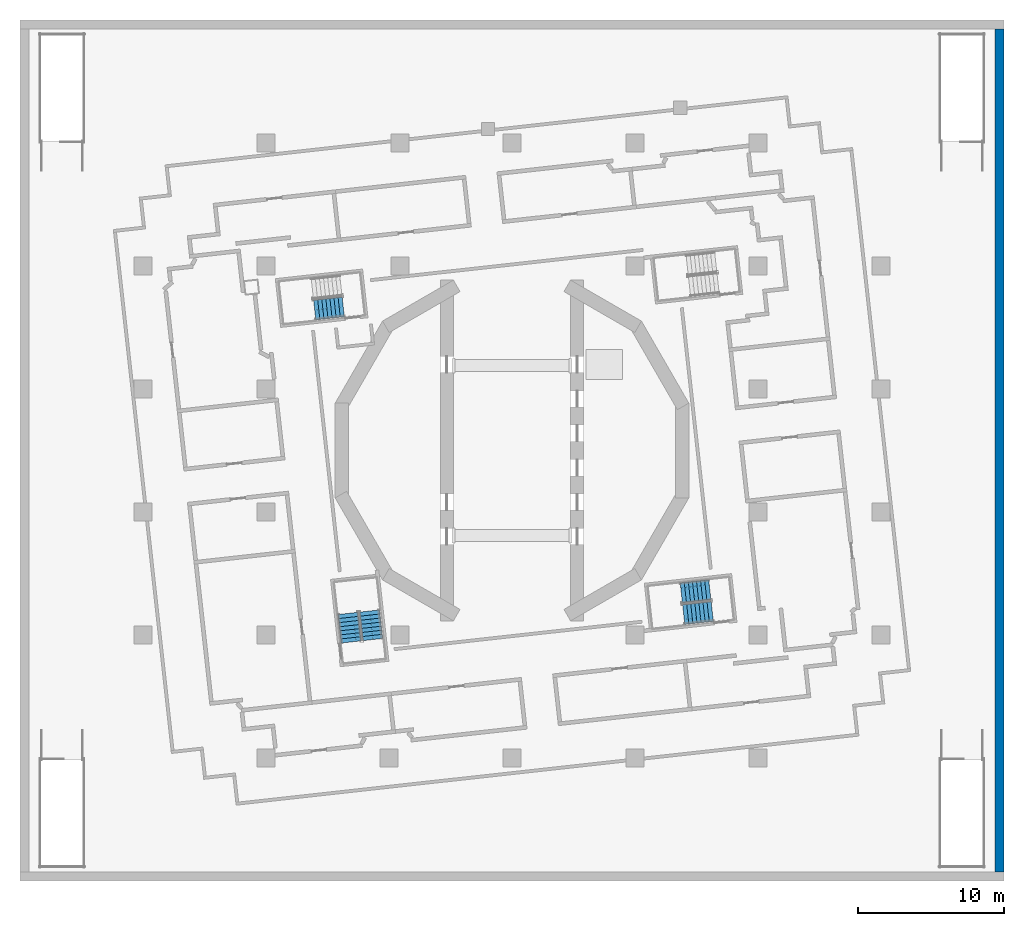
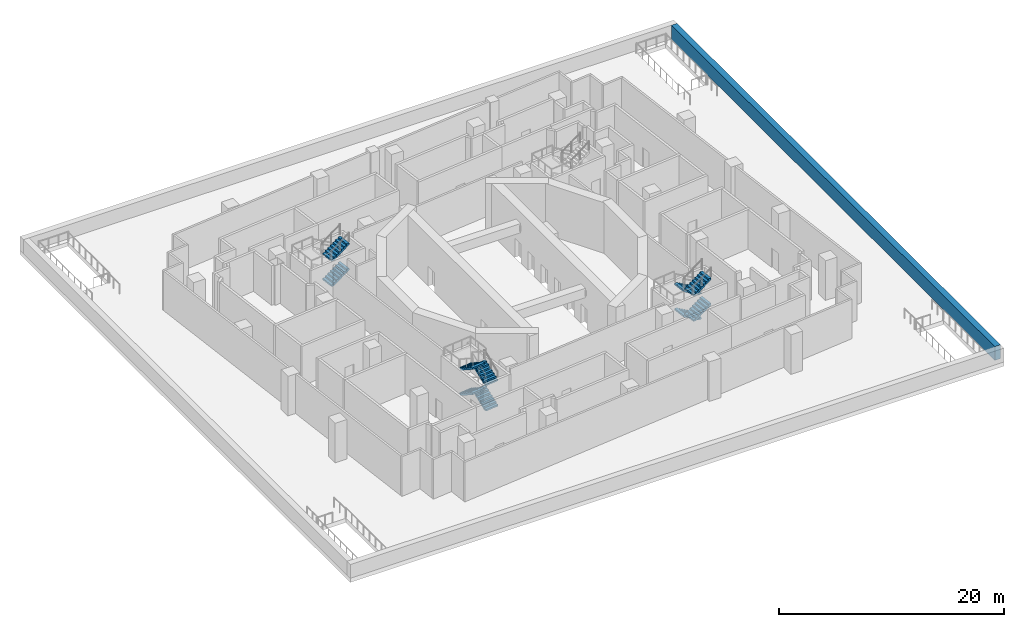
# One storey, part 5 of 12: 10 stair flights, 1 wall, 3 elements without a shape of their own.
"""IFC4 building model written with IfcOpenShell, lengths in metres."""

from ifc_helpers import new_model, si_unit, direction, frame, frame_2d, origin, place, context, subcontext, project, spatial, polyline, rectangle, outline, extrude, material, layer, layer_set, type_object, element, aggregate, save


model = new_model("IFC4")

# Units and contexts
model_context = context("Model", 3, precision=1e-05, world=origin(), true_north=direction((0.0, 1.0)))
body_context = subcontext(model_context, "Body", "Model", "MODEL_VIEW")
ifc_project = project(units=[si_unit("LENGTHUNIT", "METRE"), si_unit("AREAUNIT", "SQUARE_METRE"), si_unit("VOLUMEUNIT", "CUBIC_METRE"), si_unit("PLANEANGLEUNIT", "RADIAN"), si_unit("MASSUNIT", "GRAM", prefix="KILO")], contexts=[model_context])

# Site, building, storey
site_placement = place(None, origin())
site = spatial("IfcSite", under=ifc_project, at=site_placement, CompositionType="ELEMENT")
building_placement = place(site_placement, origin())
building = spatial("IfcBuilding", under=site, at=building_placement, Name="Cantera Rosa Tower", CompositionType="ELEMENT")
storey_placement = place(building_placement, frame((0.0, 0.0, 37.0)))
storey = spatial("IfcBuildingStorey", under=building, at=storey_placement, Name="L06", CompositionType="ELEMENT", Elevation=37.0)

# Wall
ifc_material_1 = material(Name="Concrete C40/50 with limestone facing", Category="masonry")
ifc_layer = layer(ifc_material_1, 0.60009765625)
ifc_layer_set = layer_set([ifc_layer], Name="Stone cornice parapet 600")
wall_type = type_object("IfcWallType", Name="Stone cornice parapet 600", PredefinedType="PARAPET", material=ifc_layer_set)
wall_placement = place(storey_placement, frame((33.300048828125, -28.800048828125, 0.0), z_axis=(0.0, 0.0, 1.0), x_axis=(0.0, 1.0, 0.0)))
element("IfcWall", 1, at=wall_placement, inside=storey, type_object=wall_type, Name="Parapet E", PredefinedType="PARAPET", context=body_context, shape_type="SweptSolid", body=[
    extrude(rectangle(XDim=57.60009765625, YDim=0.60009765625, at=frame_2d((28.800048828125, 0.0))), origin(), (0.0, 0.0, 1.0), 1.5),
])

# Stair, stair flights
ifc_material_2 = material(Name="Concrete C35/45", Category="concrete")
stair_type = type_object("IfcStairType", Name="EXIT STAIR 1350 DOGLEG", PredefinedType="HALF_TURN_STAIR", material=ifc_material_2)
stair_1_placement = place(storey_placement, origin())
stair_1 = element("IfcStair", 2, at=stair_1_placement, inside=storey, type_object=stair_type, Name="L06 ST-12", PredefinedType="HALF_TURN_STAIR")
ifc_material_3 = material(Name="Concrete C35/45", Category="concrete")
stair_flight_type = type_object("IfcStairFlightType", Name="STAIR FLIGHT 1350 R32x172", PredefinedType="STRAIGHT", material=ifc_material_3)
stair_flight_1_placement = place(storey_placement, frame((-13.473876953125, 9.5927734375, 1.375), z_axis=(0.0, 0.0, 1.0), x_axis=(0.993896947056, 0.110312549749, 0.0)))
stair_flight_1 = element("IfcStairFlight", 3, at=stair_flight_1_placement, type_object=stair_flight_type, Name="ST-12 flight 2", NumberOfRisers=8, NumberOfTreads=7, PredefinedType="STRAIGHT", RiserHeight=0.171875, TreadLength=0.28, context=body_context, shape_type="SweptSolid", body=[
    extrude(outline(polyline([(0.0, 0.0), (0.0, 0.171875), (0.280029296875, 0.171875), (0.280029296875, 0.34375), (0.56005859375, 0.34375), (0.56005859375, 0.515625), (0.840087890625, 0.515625), (0.840087890625, 0.6875), (1.1201171875, 0.6875), (1.1201171875, 0.859375), (1.39990234375, 0.859375), (1.39990234375, 1.03125), (1.679931640625, 1.03125), (1.679931640625, 1.203125), (1.9599609375, 1.203125), (1.9599609375, 1.375), (1.9599609375, 1.02734375), (0.28662109375, 0.0), (0.0, 0.0)])), frame((0.0, 0.675048828125, 0.0), z_axis=(0.0, -1.0, 0.0), x_axis=(1.0, 0.0, 0.0)), (0.0, 0.0, 1.0), 0.3359375),
    extrude(outline(polyline([(0.0, 0.0), (0.0, 0.171875), (0.280029296875, 0.171875), (0.280029296875, 0.34375), (0.56005859375, 0.34375), (0.56005859375, 0.515625), (0.840087890625, 0.515625), (0.840087890625, 0.6875), (1.1201171875, 0.6875), (1.1201171875, 0.859375), (1.39990234375, 0.859375), (1.39990234375, 1.03125), (1.679931640625, 1.03125), (1.679931640625, 1.203125), (1.9599609375, 1.203125), (1.9599609375, 1.375), (1.9599609375, 1.02734375), (0.28662109375, 0.0), (0.0, 0.0)])), frame((0.0, 0.337158203125, 0.0), z_axis=(0.0, -1.0, 0.0), x_axis=(1.0, 0.0, 0.0)), (0.0, 0.0, 1.0), 0.3359375),
    extrude(outline(polyline([(0.0, 0.0), (0.0, 0.171875), (0.280029296875, 0.171875), (0.280029296875, 0.34375), (0.56005859375, 0.34375), (0.56005859375, 0.515625), (0.840087890625, 0.515625), (0.840087890625, 0.6875), (1.1201171875, 0.6875), (1.1201171875, 0.859375), (1.39990234375, 0.859375), (1.39990234375, 1.03125), (1.679931640625, 1.03125), (1.679931640625, 1.203125), (1.9599609375, 1.203125), (1.9599609375, 1.375), (1.9599609375, 1.02734375), (0.28662109375, 0.0), (0.0, 0.0)])), frame((0.0, -0.000732421875, 0.0), z_axis=(0.0, -1.0, 0.0), x_axis=(1.0, 0.0, 0.0)), (0.0, 0.0, 1.0), 0.3359375),
    extrude(outline(polyline([(0.0, 0.0), (0.0, 0.171875), (0.280029296875, 0.171875), (0.280029296875, 0.34375), (0.56005859375, 0.34375), (0.56005859375, 0.515625), (0.840087890625, 0.515625), (0.840087890625, 0.6875), (1.1201171875, 0.6875), (1.1201171875, 0.859375), (1.39990234375, 0.859375), (1.39990234375, 1.03125), (1.679931640625, 1.03125), (1.679931640625, 1.203125), (1.9599609375, 1.203125), (1.9599609375, 1.375), (1.9599609375, 1.02734375), (0.28662109375, 0.0), (0.0, 0.0)])), frame((0.0, -0.338623046875, 0.0), z_axis=(0.0, -1.0, 0.0), x_axis=(1.0, 0.0, 0.0)), (0.0, 0.0, 1.0), 0.3359375),
])
stair_flight_2_placement = place(storey_placement, frame((-13.473876953125, 9.5927734375, 4.125), z_axis=(0.0, 0.0, 1.0), x_axis=(0.993896947056, 0.110312549749, 0.0)))
stair_flight_2 = element("IfcStairFlight", 4, at=stair_flight_2_placement, type_object=stair_flight_type, Name="ST-12 flight 4", NumberOfRisers=8, NumberOfTreads=7, PredefinedType="STRAIGHT", RiserHeight=0.171875, TreadLength=0.28, context=body_context, shape_type="SweptSolid", body=[
    extrude(outline(polyline([(0.0, 0.0), (0.0, 0.171875), (0.280029296875, 0.171875), (0.280029296875, 0.34375), (0.56005859375, 0.34375), (0.56005859375, 0.515625), (0.840087890625, 0.515625), (0.840087890625, 0.6875), (1.1201171875, 0.6875), (1.1201171875, 0.859375), (1.39990234375, 0.859375), (1.39990234375, 1.03125), (1.679931640625, 1.03125), (1.679931640625, 1.203125), (1.9599609375, 1.203125), (1.9599609375, 1.375), (1.9599609375, 1.02734375), (0.28662109375, 0.0), (0.0, 0.0)])), frame((0.0, 0.675048828125, 0.0), z_axis=(0.0, -1.0, 0.0), x_axis=(1.0, 0.0, 0.0)), (0.0, 0.0, 1.0), 0.3359375),
    extrude(outline(polyline([(0.0, 0.0), (0.0, 0.171875), (0.280029296875, 0.171875), (0.280029296875, 0.34375), (0.56005859375, 0.34375), (0.56005859375, 0.515625), (0.840087890625, 0.515625), (0.840087890625, 0.6875), (1.1201171875, 0.6875), (1.1201171875, 0.859375), (1.39990234375, 0.859375), (1.39990234375, 1.03125), (1.679931640625, 1.03125), (1.679931640625, 1.203125), (1.9599609375, 1.203125), (1.9599609375, 1.375), (1.9599609375, 1.02734375), (0.28662109375, 0.0), (0.0, 0.0)])), frame((0.0, 0.337158203125, 0.0), z_axis=(0.0, -1.0, 0.0), x_axis=(1.0, 0.0, 0.0)), (0.0, 0.0, 1.0), 0.3359375),
    extrude(outline(polyline([(0.0, 0.0), (0.0, 0.171875), (0.280029296875, 0.171875), (0.280029296875, 0.34375), (0.56005859375, 0.34375), (0.56005859375, 0.515625), (0.840087890625, 0.515625), (0.840087890625, 0.6875), (1.1201171875, 0.6875), (1.1201171875, 0.859375), (1.39990234375, 0.859375), (1.39990234375, 1.03125), (1.679931640625, 1.03125), (1.679931640625, 1.203125), (1.9599609375, 1.203125), (1.9599609375, 1.375), (1.9599609375, 1.02734375), (0.28662109375, 0.0), (0.0, 0.0)])), frame((0.0, -0.000732421875, 0.0), z_axis=(0.0, -1.0, 0.0), x_axis=(1.0, 0.0, 0.0)), (0.0, 0.0, 1.0), 0.3359375),
    extrude(outline(polyline([(0.0, 0.0), (0.0, 0.171875), (0.280029296875, 0.171875), (0.280029296875, 0.34375), (0.56005859375, 0.34375), (0.56005859375, 0.515625), (0.840087890625, 0.515625), (0.840087890625, 0.6875), (1.1201171875, 0.6875), (1.1201171875, 0.859375), (1.39990234375, 0.859375), (1.39990234375, 1.03125), (1.679931640625, 1.03125), (1.679931640625, 1.203125), (1.9599609375, 1.203125), (1.9599609375, 1.375), (1.9599609375, 1.02734375), (0.28662109375, 0.0), (0.0, 0.0)])), frame((0.0, -0.338623046875, 0.0), z_axis=(0.0, -1.0, 0.0), x_axis=(1.0, 0.0, 0.0)), (0.0, 0.0, 1.0), 0.3359375),
])
aggregate(stair_1, [stair_flight_1, stair_flight_2])

stair_2_placement = place(storey_placement, origin())
stair_2 = element("IfcStair", 5, at=stair_2_placement, inside=storey, type_object=stair_type, Name="L06 ST-13", PredefinedType="HALF_TURN_STAIR")
stair_flight_3_placement = place(storey_placement, frame((-9.500244140625, -12.90869140625, 0.0), z_axis=(0.0, 0.0, 1.0), x_axis=(-0.110312549749, 0.993896947056, 0.0)))
stair_flight_3 = element("IfcStairFlight", 6, at=stair_flight_3_placement, type_object=stair_flight_type, Name="ST-13 flight 1", NumberOfRisers=8, NumberOfTreads=7, PredefinedType="STRAIGHT", RiserHeight=0.171875, TreadLength=0.28, context=body_context, shape_type="SweptSolid", body=[
    extrude(outline(polyline([(0.0, 0.0), (0.0, 0.171875), (0.280029296875, 0.171875), (0.280029296875, 0.34375), (0.56005859375, 0.34375), (0.56005859375, 0.515625), (0.840087890625, 0.515625), (0.840087890625, 0.6875), (1.1201171875, 0.6875), (1.1201171875, 0.859375), (1.39990234375, 0.859375), (1.39990234375, 1.03125), (1.679931640625, 1.03125), (1.679931640625, 1.203125), (1.9599609375, 1.203125), (1.9599609375, 1.375), (1.9599609375, 1.02734375), (0.28662109375, 0.0), (0.0, 0.0)])), frame((0.0, 0.675048828125, 0.0), z_axis=(0.0, -1.0, 0.0), x_axis=(1.0, 0.0, 0.0)), (0.0, 0.0, 1.0), 0.3359375),
    extrude(outline(polyline([(0.0, 0.0), (0.0, 0.171875), (0.280029296875, 0.171875), (0.280029296875, 0.34375), (0.56005859375, 0.34375), (0.56005859375, 0.515625), (0.840087890625, 0.515625), (0.840087890625, 0.6875), (1.1201171875, 0.6875), (1.1201171875, 0.859375), (1.39990234375, 0.859375), (1.39990234375, 1.03125), (1.679931640625, 1.03125), (1.679931640625, 1.203125), (1.9599609375, 1.203125), (1.9599609375, 1.375), (1.9599609375, 1.02734375), (0.28662109375, 0.0), (0.0, 0.0)])), frame((0.0, 0.337158203125, 0.0), z_axis=(0.0, -1.0, 0.0), x_axis=(1.0, 0.0, 0.0)), (0.0, 0.0, 1.0), 0.3359375),
    extrude(outline(polyline([(0.0, 0.0), (0.0, 0.171875), (0.280029296875, 0.171875), (0.280029296875, 0.34375), (0.56005859375, 0.34375), (0.56005859375, 0.515625), (0.840087890625, 0.515625), (0.840087890625, 0.6875), (1.1201171875, 0.6875), (1.1201171875, 0.859375), (1.39990234375, 0.859375), (1.39990234375, 1.03125), (1.679931640625, 1.03125), (1.679931640625, 1.203125), (1.9599609375, 1.203125), (1.9599609375, 1.375), (1.9599609375, 1.02734375), (0.28662109375, 0.0), (0.0, 0.0)])), frame((0.0, -0.000732421875, 0.0), z_axis=(0.0, -1.0, 0.0), x_axis=(1.0, 0.0, 0.0)), (0.0, 0.0, 1.0), 0.3359375),
    extrude(outline(polyline([(0.0, 0.0), (0.0, 0.171875), (0.280029296875, 0.171875), (0.280029296875, 0.34375), (0.56005859375, 0.34375), (0.56005859375, 0.515625), (0.840087890625, 0.515625), (0.840087890625, 0.6875), (1.1201171875, 0.6875), (1.1201171875, 0.859375), (1.39990234375, 0.859375), (1.39990234375, 1.03125), (1.679931640625, 1.03125), (1.679931640625, 1.203125), (1.9599609375, 1.203125), (1.9599609375, 1.375), (1.9599609375, 1.02734375), (0.28662109375, 0.0), (0.0, 0.0)])), frame((0.0, -0.338623046875, 0.0), z_axis=(0.0, -1.0, 0.0), x_axis=(1.0, 0.0, 0.0)), (0.0, 0.0, 1.0), 0.3359375),
])
stair_flight_4_placement = place(storey_placement, frame((-11.207275390625, -11.126220703125, 1.375), z_axis=(0.0, 0.0, 1.0), x_axis=(0.110312549749, -0.993896947056, 0.0)))
stair_flight_4 = element("IfcStairFlight", 7, at=stair_flight_4_placement, type_object=stair_flight_type, Name="ST-13 flight 2", NumberOfRisers=8, NumberOfTreads=7, PredefinedType="STRAIGHT", RiserHeight=0.171875, TreadLength=0.28, context=body_context, shape_type="SweptSolid", body=[
    extrude(outline(polyline([(0.0, 0.0), (0.0, 0.171875), (0.280029296875, 0.171875), (0.280029296875, 0.34375), (0.56005859375, 0.34375), (0.56005859375, 0.515625), (0.840087890625, 0.515625), (0.840087890625, 0.6875), (1.1201171875, 0.6875), (1.1201171875, 0.859375), (1.39990234375, 0.859375), (1.39990234375, 1.03125), (1.679931640625, 1.03125), (1.679931640625, 1.203125), (1.9599609375, 1.203125), (1.9599609375, 1.375), (1.9599609375, 1.02734375), (0.28662109375, 0.0), (0.0, 0.0)])), frame((0.0, 0.675048828125, 0.0), z_axis=(0.0, -1.0, 0.0), x_axis=(1.0, 0.0, 0.0)), (0.0, 0.0, 1.0), 0.3359375),
    extrude(outline(polyline([(0.0, 0.0), (0.0, 0.171875), (0.280029296875, 0.171875), (0.280029296875, 0.34375), (0.56005859375, 0.34375), (0.56005859375, 0.515625), (0.840087890625, 0.515625), (0.840087890625, 0.6875), (1.1201171875, 0.6875), (1.1201171875, 0.859375), (1.39990234375, 0.859375), (1.39990234375, 1.03125), (1.679931640625, 1.03125), (1.679931640625, 1.203125), (1.9599609375, 1.203125), (1.9599609375, 1.375), (1.9599609375, 1.02734375), (0.28662109375, 0.0), (0.0, 0.0)])), frame((0.0, 0.337158203125, 0.0), z_axis=(0.0, -1.0, 0.0), x_axis=(1.0, 0.0, 0.0)), (0.0, 0.0, 1.0), 0.3359375),
    extrude(outline(polyline([(0.0, 0.0), (0.0, 0.171875), (0.280029296875, 0.171875), (0.280029296875, 0.34375), (0.56005859375, 0.34375), (0.56005859375, 0.515625), (0.840087890625, 0.515625), (0.840087890625, 0.6875), (1.1201171875, 0.6875), (1.1201171875, 0.859375), (1.39990234375, 0.859375), (1.39990234375, 1.03125), (1.679931640625, 1.03125), (1.679931640625, 1.203125), (1.9599609375, 1.203125), (1.9599609375, 1.375), (1.9599609375, 1.02734375), (0.28662109375, 0.0), (0.0, 0.0)])), frame((0.0, -0.000732421875, 0.0), z_axis=(0.0, -1.0, 0.0), x_axis=(1.0, 0.0, 0.0)), (0.0, 0.0, 1.0), 0.3359375),
    extrude(outline(polyline([(0.0, 0.0), (0.0, 0.171875), (0.280029296875, 0.171875), (0.280029296875, 0.34375), (0.56005859375, 0.34375), (0.56005859375, 0.515625), (0.840087890625, 0.515625), (0.840087890625, 0.6875), (1.1201171875, 0.6875), (1.1201171875, 0.859375), (1.39990234375, 0.859375), (1.39990234375, 1.03125), (1.679931640625, 1.03125), (1.679931640625, 1.203125), (1.9599609375, 1.203125), (1.9599609375, 1.375), (1.9599609375, 1.02734375), (0.28662109375, 0.0), (0.0, 0.0)])), frame((0.0, -0.338623046875, 0.0), z_axis=(0.0, -1.0, 0.0), x_axis=(1.0, 0.0, 0.0)), (0.0, 0.0, 1.0), 0.3359375),
])
stair_flight_5_placement = place(storey_placement, frame((-9.500244140625, -12.90869140625, 2.75), z_axis=(0.0, 0.0, 1.0), x_axis=(-0.110312549749, 0.993896947056, 0.0)))
stair_flight_5 = element("IfcStairFlight", 8, at=stair_flight_5_placement, type_object=stair_flight_type, Name="ST-13 flight 3", NumberOfRisers=8, NumberOfTreads=7, PredefinedType="STRAIGHT", RiserHeight=0.171875, TreadLength=0.28, context=body_context, shape_type="SweptSolid", body=[
    extrude(outline(polyline([(0.0, 0.0), (0.0, 0.171875), (0.280029296875, 0.171875), (0.280029296875, 0.34375), (0.56005859375, 0.34375), (0.56005859375, 0.515625), (0.840087890625, 0.515625), (0.840087890625, 0.6875), (1.1201171875, 0.6875), (1.1201171875, 0.859375), (1.39990234375, 0.859375), (1.39990234375, 1.03125), (1.679931640625, 1.03125), (1.679931640625, 1.203125), (1.9599609375, 1.203125), (1.9599609375, 1.375), (1.9599609375, 1.02734375), (0.28662109375, 0.0), (0.0, 0.0)])), frame((0.0, 0.675048828125, 0.0), z_axis=(0.0, -1.0, 0.0), x_axis=(1.0, 0.0, 0.0)), (0.0, 0.0, 1.0), 0.3359375),
    extrude(outline(polyline([(0.0, 0.0), (0.0, 0.171875), (0.280029296875, 0.171875), (0.280029296875, 0.34375), (0.56005859375, 0.34375), (0.56005859375, 0.515625), (0.840087890625, 0.515625), (0.840087890625, 0.6875), (1.1201171875, 0.6875), (1.1201171875, 0.859375), (1.39990234375, 0.859375), (1.39990234375, 1.03125), (1.679931640625, 1.03125), (1.679931640625, 1.203125), (1.9599609375, 1.203125), (1.9599609375, 1.375), (1.9599609375, 1.02734375), (0.28662109375, 0.0), (0.0, 0.0)])), frame((0.0, 0.337158203125, 0.0), z_axis=(0.0, -1.0, 0.0), x_axis=(1.0, 0.0, 0.0)), (0.0, 0.0, 1.0), 0.3359375),
    extrude(outline(polyline([(0.0, 0.0), (0.0, 0.171875), (0.280029296875, 0.171875), (0.280029296875, 0.34375), (0.56005859375, 0.34375), (0.56005859375, 0.515625), (0.840087890625, 0.515625), (0.840087890625, 0.6875), (1.1201171875, 0.6875), (1.1201171875, 0.859375), (1.39990234375, 0.859375), (1.39990234375, 1.03125), (1.679931640625, 1.03125), (1.679931640625, 1.203125), (1.9599609375, 1.203125), (1.9599609375, 1.375), (1.9599609375, 1.02734375), (0.28662109375, 0.0), (0.0, 0.0)])), frame((0.0, -0.000732421875, 0.0), z_axis=(0.0, -1.0, 0.0), x_axis=(1.0, 0.0, 0.0)), (0.0, 0.0, 1.0), 0.3359375),
    extrude(outline(polyline([(0.0, 0.0), (0.0, 0.171875), (0.280029296875, 0.171875), (0.280029296875, 0.34375), (0.56005859375, 0.34375), (0.56005859375, 0.515625), (0.840087890625, 0.515625), (0.840087890625, 0.6875), (1.1201171875, 0.6875), (1.1201171875, 0.859375), (1.39990234375, 0.859375), (1.39990234375, 1.03125), (1.679931640625, 1.03125), (1.679931640625, 1.203125), (1.9599609375, 1.203125), (1.9599609375, 1.375), (1.9599609375, 1.02734375), (0.28662109375, 0.0), (0.0, 0.0)])), frame((0.0, -0.338623046875, 0.0), z_axis=(0.0, -1.0, 0.0), x_axis=(1.0, 0.0, 0.0)), (0.0, 0.0, 1.0), 0.3359375),
])
stair_flight_6_placement = place(storey_placement, frame((-11.207275390625, -11.126220703125, 4.125), z_axis=(0.0, 0.0, 1.0), x_axis=(0.110312549749, -0.993896947056, 0.0)))
stair_flight_6 = element("IfcStairFlight", 9, at=stair_flight_6_placement, type_object=stair_flight_type, Name="ST-13 flight 4", NumberOfRisers=8, NumberOfTreads=7, PredefinedType="STRAIGHT", RiserHeight=0.171875, TreadLength=0.28, context=body_context, shape_type="SweptSolid", body=[
    extrude(outline(polyline([(0.0, 0.0), (0.0, 0.171875), (0.280029296875, 0.171875), (0.280029296875, 0.34375), (0.56005859375, 0.34375), (0.56005859375, 0.515625), (0.840087890625, 0.515625), (0.840087890625, 0.6875), (1.1201171875, 0.6875), (1.1201171875, 0.859375), (1.39990234375, 0.859375), (1.39990234375, 1.03125), (1.679931640625, 1.03125), (1.679931640625, 1.203125), (1.9599609375, 1.203125), (1.9599609375, 1.375), (1.9599609375, 1.02734375), (0.28662109375, 0.0), (0.0, 0.0)])), frame((0.0, 0.675048828125, 0.0), z_axis=(0.0, -1.0, 0.0), x_axis=(1.0, 0.0, 0.0)), (0.0, 0.0, 1.0), 0.3359375),
    extrude(outline(polyline([(0.0, 0.0), (0.0, 0.171875), (0.280029296875, 0.171875), (0.280029296875, 0.34375), (0.56005859375, 0.34375), (0.56005859375, 0.515625), (0.840087890625, 0.515625), (0.840087890625, 0.6875), (1.1201171875, 0.6875), (1.1201171875, 0.859375), (1.39990234375, 0.859375), (1.39990234375, 1.03125), (1.679931640625, 1.03125), (1.679931640625, 1.203125), (1.9599609375, 1.203125), (1.9599609375, 1.375), (1.9599609375, 1.02734375), (0.28662109375, 0.0), (0.0, 0.0)])), frame((0.0, 0.337158203125, 0.0), z_axis=(0.0, -1.0, 0.0), x_axis=(1.0, 0.0, 0.0)), (0.0, 0.0, 1.0), 0.3359375),
    extrude(outline(polyline([(0.0, 0.0), (0.0, 0.171875), (0.280029296875, 0.171875), (0.280029296875, 0.34375), (0.56005859375, 0.34375), (0.56005859375, 0.515625), (0.840087890625, 0.515625), (0.840087890625, 0.6875), (1.1201171875, 0.6875), (1.1201171875, 0.859375), (1.39990234375, 0.859375), (1.39990234375, 1.03125), (1.679931640625, 1.03125), (1.679931640625, 1.203125), (1.9599609375, 1.203125), (1.9599609375, 1.375), (1.9599609375, 1.02734375), (0.28662109375, 0.0), (0.0, 0.0)])), frame((0.0, -0.000732421875, 0.0), z_axis=(0.0, -1.0, 0.0), x_axis=(1.0, 0.0, 0.0)), (0.0, 0.0, 1.0), 0.3359375),
    extrude(outline(polyline([(0.0, 0.0), (0.0, 0.171875), (0.280029296875, 0.171875), (0.280029296875, 0.34375), (0.56005859375, 0.34375), (0.56005859375, 0.515625), (0.840087890625, 0.515625), (0.840087890625, 0.6875), (1.1201171875, 0.6875), (1.1201171875, 0.859375), (1.39990234375, 0.859375), (1.39990234375, 1.03125), (1.679931640625, 1.03125), (1.679931640625, 1.203125), (1.9599609375, 1.203125), (1.9599609375, 1.375), (1.9599609375, 1.02734375), (0.28662109375, 0.0), (0.0, 0.0)])), frame((0.0, -0.338623046875, 0.0), z_axis=(0.0, -1.0, 0.0), x_axis=(1.0, 0.0, 0.0)), (0.0, 0.0, 1.0), 0.3359375),
])
aggregate(stair_2, [stair_flight_3, stair_flight_4, stair_flight_5, stair_flight_6])

stair_3_placement = place(storey_placement, origin())
stair_3 = element("IfcStair", 10, at=stair_3_placement, inside=storey, type_object=stair_type, Name="L06 ST-14", PredefinedType="HALF_TURN_STAIR")
stair_flight_7_placement = place(storey_placement, frame((13.5087890625, -9.500244140625, 0.0), z_axis=(0.0, 0.0, 1.0), x_axis=(-0.993896947056, -0.110312549749, 0.0)))
stair_flight_7 = element("IfcStairFlight", 11, at=stair_flight_7_placement, type_object=stair_flight_type, Name="ST-14 flight 1", NumberOfRisers=8, NumberOfTreads=7, PredefinedType="STRAIGHT", RiserHeight=0.171875, TreadLength=0.28, context=body_context, shape_type="SweptSolid", body=[
    extrude(outline(polyline([(0.0, 0.0), (0.0, 0.171875), (0.280029296875, 0.171875), (0.280029296875, 0.34375), (0.56005859375, 0.34375), (0.56005859375, 0.515625), (0.840087890625, 0.515625), (0.840087890625, 0.6875), (1.1201171875, 0.6875), (1.1201171875, 0.859375), (1.39990234375, 0.859375), (1.39990234375, 1.03125), (1.679931640625, 1.03125), (1.679931640625, 1.203125), (1.9599609375, 1.203125), (1.9599609375, 1.375), (1.9599609375, 1.02734375), (0.28662109375, 0.0), (0.0, 0.0)])), frame((0.0, 0.675048828125, 0.0), z_axis=(0.0, -1.0, 0.0), x_axis=(1.0, 0.0, 0.0)), (0.0, 0.0, 1.0), 0.3359375),
    extrude(outline(polyline([(0.0, 0.0), (0.0, 0.171875), (0.280029296875, 0.171875), (0.280029296875, 0.34375), (0.56005859375, 0.34375), (0.56005859375, 0.515625), (0.840087890625, 0.515625), (0.840087890625, 0.6875), (1.1201171875, 0.6875), (1.1201171875, 0.859375), (1.39990234375, 0.859375), (1.39990234375, 1.03125), (1.679931640625, 1.03125), (1.679931640625, 1.203125), (1.9599609375, 1.203125), (1.9599609375, 1.375), (1.9599609375, 1.02734375), (0.28662109375, 0.0), (0.0, 0.0)])), frame((0.0, 0.337158203125, 0.0), z_axis=(0.0, -1.0, 0.0), x_axis=(1.0, 0.0, 0.0)), (0.0, 0.0, 1.0), 0.3359375),
    extrude(outline(polyline([(0.0, 0.0), (0.0, 0.171875), (0.280029296875, 0.171875), (0.280029296875, 0.34375), (0.56005859375, 0.34375), (0.56005859375, 0.515625), (0.840087890625, 0.515625), (0.840087890625, 0.6875), (1.1201171875, 0.6875), (1.1201171875, 0.859375), (1.39990234375, 0.859375), (1.39990234375, 1.03125), (1.679931640625, 1.03125), (1.679931640625, 1.203125), (1.9599609375, 1.203125), (1.9599609375, 1.375), (1.9599609375, 1.02734375), (0.28662109375, 0.0), (0.0, 0.0)])), frame((0.0, -0.000732421875, 0.0), z_axis=(0.0, -1.0, 0.0), x_axis=(1.0, 0.0, 0.0)), (0.0, 0.0, 1.0), 0.3359375),
    extrude(outline(polyline([(0.0, 0.0), (0.0, 0.171875), (0.280029296875, 0.171875), (0.280029296875, 0.34375), (0.56005859375, 0.34375), (0.56005859375, 0.515625), (0.840087890625, 0.515625), (0.840087890625, 0.6875), (1.1201171875, 0.6875), (1.1201171875, 0.859375), (1.39990234375, 0.859375), (1.39990234375, 1.03125), (1.679931640625, 1.03125), (1.679931640625, 1.203125), (1.9599609375, 1.203125), (1.9599609375, 1.375), (1.9599609375, 1.02734375), (0.28662109375, 0.0), (0.0, 0.0)])), frame((0.0, -0.338623046875, 0.0), z_axis=(0.0, -1.0, 0.0), x_axis=(1.0, 0.0, 0.0)), (0.0, 0.0, 1.0), 0.3359375),
])
stair_flight_8_placement = place(storey_placement, frame((11.72607421875, -11.207275390625, 1.375), z_axis=(0.0, 0.0, 1.0), x_axis=(0.993896947056, 0.110312549749, 0.0)))
stair_flight_8 = element("IfcStairFlight", 12, at=stair_flight_8_placement, type_object=stair_flight_type, Name="ST-14 flight 2", NumberOfRisers=8, NumberOfTreads=7, PredefinedType="STRAIGHT", RiserHeight=0.171875, TreadLength=0.28, context=body_context, shape_type="SweptSolid", body=[
    extrude(outline(polyline([(0.0, 0.0), (0.0, 0.171875), (0.280029296875, 0.171875), (0.280029296875, 0.34375), (0.56005859375, 0.34375), (0.56005859375, 0.515625), (0.840087890625, 0.515625), (0.840087890625, 0.6875), (1.1201171875, 0.6875), (1.1201171875, 0.859375), (1.39990234375, 0.859375), (1.39990234375, 1.03125), (1.679931640625, 1.03125), (1.679931640625, 1.203125), (1.9599609375, 1.203125), (1.9599609375, 1.375), (1.9599609375, 1.02734375), (0.28662109375, 0.0), (0.0, 0.0)])), frame((0.0, 0.675048828125, 0.0), z_axis=(0.0, -1.0, 0.0), x_axis=(1.0, 0.0, 0.0)), (0.0, 0.0, 1.0), 0.3359375),
    extrude(outline(polyline([(0.0, 0.0), (0.0, 0.171875), (0.280029296875, 0.171875), (0.280029296875, 0.34375), (0.56005859375, 0.34375), (0.56005859375, 0.515625), (0.840087890625, 0.515625), (0.840087890625, 0.6875), (1.1201171875, 0.6875), (1.1201171875, 0.859375), (1.39990234375, 0.859375), (1.39990234375, 1.03125), (1.679931640625, 1.03125), (1.679931640625, 1.203125), (1.9599609375, 1.203125), (1.9599609375, 1.375), (1.9599609375, 1.02734375), (0.28662109375, 0.0), (0.0, 0.0)])), frame((0.0, 0.337158203125, 0.0), z_axis=(0.0, -1.0, 0.0), x_axis=(1.0, 0.0, 0.0)), (0.0, 0.0, 1.0), 0.3359375),
    extrude(outline(polyline([(0.0, 0.0), (0.0, 0.171875), (0.280029296875, 0.171875), (0.280029296875, 0.34375), (0.56005859375, 0.34375), (0.56005859375, 0.515625), (0.840087890625, 0.515625), (0.840087890625, 0.6875), (1.1201171875, 0.6875), (1.1201171875, 0.859375), (1.39990234375, 0.859375), (1.39990234375, 1.03125), (1.679931640625, 1.03125), (1.679931640625, 1.203125), (1.9599609375, 1.203125), (1.9599609375, 1.375), (1.9599609375, 1.02734375), (0.28662109375, 0.0), (0.0, 0.0)])), frame((0.0, -0.000732421875, 0.0), z_axis=(0.0, -1.0, 0.0), x_axis=(1.0, 0.0, 0.0)), (0.0, 0.0, 1.0), 0.3359375),
    extrude(outline(polyline([(0.0, 0.0), (0.0, 0.171875), (0.280029296875, 0.171875), (0.280029296875, 0.34375), (0.56005859375, 0.34375), (0.56005859375, 0.515625), (0.840087890625, 0.515625), (0.840087890625, 0.6875), (1.1201171875, 0.6875), (1.1201171875, 0.859375), (1.39990234375, 0.859375), (1.39990234375, 1.03125), (1.679931640625, 1.03125), (1.679931640625, 1.203125), (1.9599609375, 1.203125), (1.9599609375, 1.375), (1.9599609375, 1.02734375), (0.28662109375, 0.0), (0.0, 0.0)])), frame((0.0, -0.338623046875, 0.0), z_axis=(0.0, -1.0, 0.0), x_axis=(1.0, 0.0, 0.0)), (0.0, 0.0, 1.0), 0.3359375),
])
stair_flight_9_placement = place(storey_placement, frame((13.5087890625, -9.500244140625, 2.75), z_axis=(0.0, 0.0, 1.0), x_axis=(-0.993896947056, -0.110312549749, 0.0)))
stair_flight_9 = element("IfcStairFlight", 13, at=stair_flight_9_placement, type_object=stair_flight_type, Name="ST-14 flight 3", NumberOfRisers=8, NumberOfTreads=7, PredefinedType="STRAIGHT", RiserHeight=0.171875, TreadLength=0.28, context=body_context, shape_type="SweptSolid", body=[
    extrude(outline(polyline([(0.0, 0.0), (0.0, 0.171875), (0.280029296875, 0.171875), (0.280029296875, 0.34375), (0.56005859375, 0.34375), (0.56005859375, 0.515625), (0.840087890625, 0.515625), (0.840087890625, 0.6875), (1.1201171875, 0.6875), (1.1201171875, 0.859375), (1.39990234375, 0.859375), (1.39990234375, 1.03125), (1.679931640625, 1.03125), (1.679931640625, 1.203125), (1.9599609375, 1.203125), (1.9599609375, 1.375), (1.9599609375, 1.02734375), (0.28662109375, 0.0), (0.0, 0.0)])), frame((0.0, 0.675048828125, 0.0), z_axis=(0.0, -1.0, 0.0), x_axis=(1.0, 0.0, 0.0)), (0.0, 0.0, 1.0), 0.3359375),
    extrude(outline(polyline([(0.0, 0.0), (0.0, 0.171875), (0.280029296875, 0.171875), (0.280029296875, 0.34375), (0.56005859375, 0.34375), (0.56005859375, 0.515625), (0.840087890625, 0.515625), (0.840087890625, 0.6875), (1.1201171875, 0.6875), (1.1201171875, 0.859375), (1.39990234375, 0.859375), (1.39990234375, 1.03125), (1.679931640625, 1.03125), (1.679931640625, 1.203125), (1.9599609375, 1.203125), (1.9599609375, 1.375), (1.9599609375, 1.02734375), (0.28662109375, 0.0), (0.0, 0.0)])), frame((0.0, 0.337158203125, 0.0), z_axis=(0.0, -1.0, 0.0), x_axis=(1.0, 0.0, 0.0)), (0.0, 0.0, 1.0), 0.3359375),
    extrude(outline(polyline([(0.0, 0.0), (0.0, 0.171875), (0.280029296875, 0.171875), (0.280029296875, 0.34375), (0.56005859375, 0.34375), (0.56005859375, 0.515625), (0.840087890625, 0.515625), (0.840087890625, 0.6875), (1.1201171875, 0.6875), (1.1201171875, 0.859375), (1.39990234375, 0.859375), (1.39990234375, 1.03125), (1.679931640625, 1.03125), (1.679931640625, 1.203125), (1.9599609375, 1.203125), (1.9599609375, 1.375), (1.9599609375, 1.02734375), (0.28662109375, 0.0), (0.0, 0.0)])), frame((0.0, -0.000732421875, 0.0), z_axis=(0.0, -1.0, 0.0), x_axis=(1.0, 0.0, 0.0)), (0.0, 0.0, 1.0), 0.3359375),
    extrude(outline(polyline([(0.0, 0.0), (0.0, 0.171875), (0.280029296875, 0.171875), (0.280029296875, 0.34375), (0.56005859375, 0.34375), (0.56005859375, 0.515625), (0.840087890625, 0.515625), (0.840087890625, 0.6875), (1.1201171875, 0.6875), (1.1201171875, 0.859375), (1.39990234375, 0.859375), (1.39990234375, 1.03125), (1.679931640625, 1.03125), (1.679931640625, 1.203125), (1.9599609375, 1.203125), (1.9599609375, 1.375), (1.9599609375, 1.02734375), (0.28662109375, 0.0), (0.0, 0.0)])), frame((0.0, -0.338623046875, 0.0), z_axis=(0.0, -1.0, 0.0), x_axis=(1.0, 0.0, 0.0)), (0.0, 0.0, 1.0), 0.3359375),
])
stair_flight_10_placement = place(storey_placement, frame((11.72607421875, -11.207275390625, 4.125), z_axis=(0.0, 0.0, 1.0), x_axis=(0.993896947056, 0.110312549749, 0.0)))
stair_flight_10 = element("IfcStairFlight", 14, at=stair_flight_10_placement, type_object=stair_flight_type, Name="ST-14 flight 4", NumberOfRisers=8, NumberOfTreads=7, PredefinedType="STRAIGHT", RiserHeight=0.171875, TreadLength=0.28, context=body_context, shape_type="SweptSolid", body=[
    extrude(outline(polyline([(0.0, 0.0), (0.0, 0.171875), (0.280029296875, 0.171875), (0.280029296875, 0.34375), (0.56005859375, 0.34375), (0.56005859375, 0.515625), (0.840087890625, 0.515625), (0.840087890625, 0.6875), (1.1201171875, 0.6875), (1.1201171875, 0.859375), (1.39990234375, 0.859375), (1.39990234375, 1.03125), (1.679931640625, 1.03125), (1.679931640625, 1.203125), (1.9599609375, 1.203125), (1.9599609375, 1.375), (1.9599609375, 1.02734375), (0.28662109375, 0.0), (0.0, 0.0)])), frame((0.0, 0.675048828125, 0.0), z_axis=(0.0, -1.0, 0.0), x_axis=(1.0, 0.0, 0.0)), (0.0, 0.0, 1.0), 0.3359375),
    extrude(outline(polyline([(0.0, 0.0), (0.0, 0.171875), (0.280029296875, 0.171875), (0.280029296875, 0.34375), (0.56005859375, 0.34375), (0.56005859375, 0.515625), (0.840087890625, 0.515625), (0.840087890625, 0.6875), (1.1201171875, 0.6875), (1.1201171875, 0.859375), (1.39990234375, 0.859375), (1.39990234375, 1.03125), (1.679931640625, 1.03125), (1.679931640625, 1.203125), (1.9599609375, 1.203125), (1.9599609375, 1.375), (1.9599609375, 1.02734375), (0.28662109375, 0.0), (0.0, 0.0)])), frame((0.0, 0.337158203125, 0.0), z_axis=(0.0, -1.0, 0.0), x_axis=(1.0, 0.0, 0.0)), (0.0, 0.0, 1.0), 0.3359375),
    extrude(outline(polyline([(0.0, 0.0), (0.0, 0.171875), (0.280029296875, 0.171875), (0.280029296875, 0.34375), (0.56005859375, 0.34375), (0.56005859375, 0.515625), (0.840087890625, 0.515625), (0.840087890625, 0.6875), (1.1201171875, 0.6875), (1.1201171875, 0.859375), (1.39990234375, 0.859375), (1.39990234375, 1.03125), (1.679931640625, 1.03125), (1.679931640625, 1.203125), (1.9599609375, 1.203125), (1.9599609375, 1.375), (1.9599609375, 1.02734375), (0.28662109375, 0.0), (0.0, 0.0)])), frame((0.0, -0.000732421875, 0.0), z_axis=(0.0, -1.0, 0.0), x_axis=(1.0, 0.0, 0.0)), (0.0, 0.0, 1.0), 0.3359375),
    extrude(outline(polyline([(0.0, 0.0), (0.0, 0.171875), (0.280029296875, 0.171875), (0.280029296875, 0.34375), (0.56005859375, 0.34375), (0.56005859375, 0.515625), (0.840087890625, 0.515625), (0.840087890625, 0.6875), (1.1201171875, 0.6875), (1.1201171875, 0.859375), (1.39990234375, 0.859375), (1.39990234375, 1.03125), (1.679931640625, 1.03125), (1.679931640625, 1.203125), (1.9599609375, 1.203125), (1.9599609375, 1.375), (1.9599609375, 1.02734375), (0.28662109375, 0.0), (0.0, 0.0)])), frame((0.0, -0.338623046875, 0.0), z_axis=(0.0, -1.0, 0.0), x_axis=(1.0, 0.0, 0.0)), (0.0, 0.0, 1.0), 0.3359375),
])
aggregate(stair_3, [stair_flight_7, stair_flight_8, stair_flight_9, stair_flight_10])

save(model, "model.ifc")
